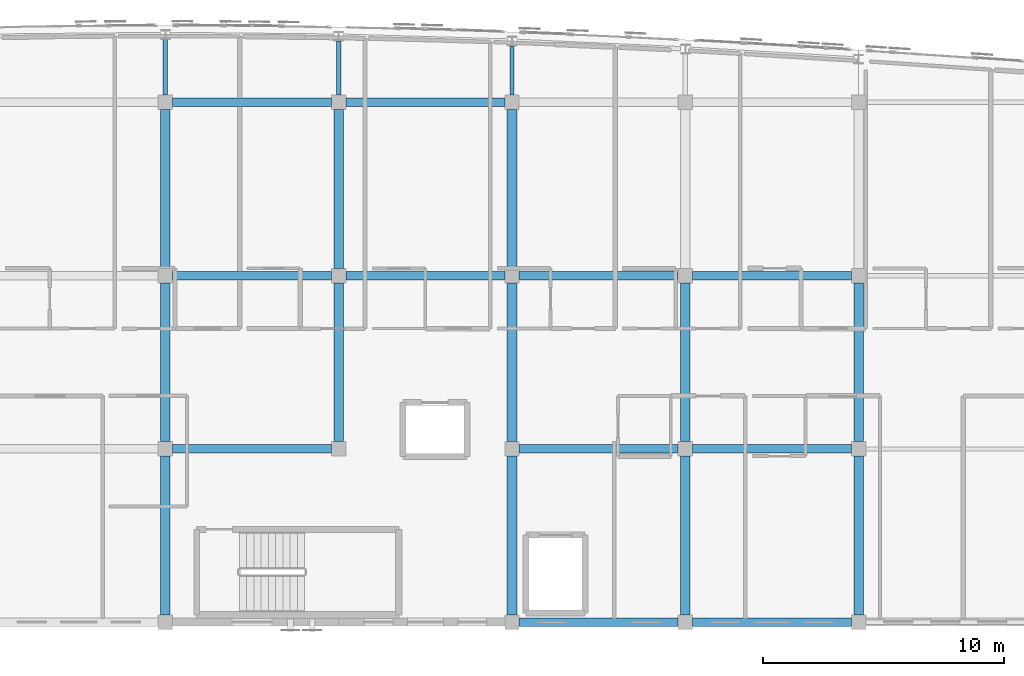
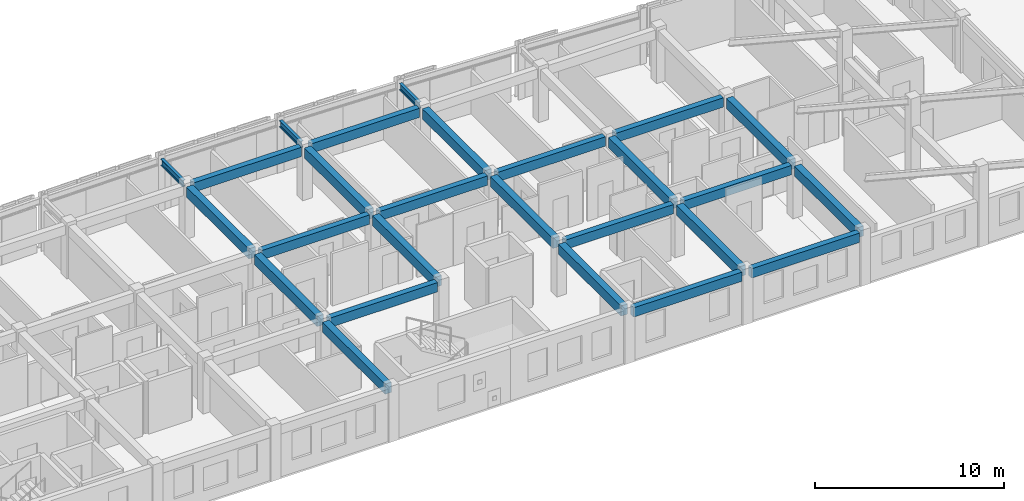
# One storey, part 16 of 41: 26 beams.
"""IFC4 building model written with IfcOpenShell, lengths in metres."""

from ifc_helpers import new_model, si_unit, direction, frame, origin, origin_2d, place, context, subcontext, project, spatial, rectangle, i_section, extrude, material, material_profile, profile_set, type_object, element, save


model = new_model("IFC4")

# Units and contexts
model_context = context("Model", 3, precision=1e-05, world=origin(), true_north=direction((0.0, 1.0)))
body_context = subcontext(model_context, "Body", "Model", "MODEL_VIEW")
ifc_project = project(units=[si_unit("LENGTHUNIT", "METRE"), si_unit("AREAUNIT", "SQUARE_METRE"), si_unit("VOLUMEUNIT", "CUBIC_METRE"), si_unit("PLANEANGLEUNIT", "RADIAN"), si_unit("MASSUNIT", "GRAM", prefix="KILO")], contexts=[model_context])

# Site, building, storey
site_placement = place(None, origin())
site = spatial("IfcSite", under=ifc_project, at=site_placement, CompositionType="ELEMENT")
building_placement = place(site_placement, origin())
building = spatial("IfcBuilding", under=site, at=building_placement, Name="Carrowvane Square Congress Hotel", CompositionType="ELEMENT")
storey_placement = place(building_placement, frame((0.0, 0.0, 37.199951171875)))
storey = spatial("IfcBuildingStorey", under=building, at=storey_placement, Name="L09", CompositionType="ELEMENT", Elevation=37.199951171875)

# Beams
ifc_material_1 = material(Name="Concrete C35/45", Category="concrete")
ifc_material_profile_1 = material_profile(ifc_material_1, rectangle(XDim=0.35009765625, YDim=0.60009765625, at=origin_2d()), Name="RC 350x600")
ifc_profile_set_1 = profile_set([ifc_material_profile_1], Name="Concrete C35/45")
beam_type_1 = type_object("IfcBeamType", Name="BM-RC-350x600", PredefinedType="BEAM", material=ifc_profile_set_1)
for number, where, z_axis, x_axis, name in (
    (1, (112.699951171875, 91.800048828125, 3.080078125), (1.0, 0.0, 0.0), (0.0, 1.0, 0.0), "L10 girder N/15-16"),
    (2, (119.89990234375, 91.800048828125, 3.080078125), (1.0, 0.0, 0.0), (0.0, 1.0, 0.0), "L10 girder N/16-17"),
):
    element("IfcBeam", number, at=place(storey_placement, frame(where, z_axis=z_axis, x_axis=x_axis)), inside=storey, type_object=beam_type_1, Name=name, PredefinedType="BEAM", context=body_context, shape_type="SweptSolid", body=[
        extrude(rectangle(XDim=0.35009765625, YDim=0.60009765625, at=origin_2d()), origin(), (0.0, 0.0, 1.0), 6.60009765625),
    ])
beam_1_placement = place(storey_placement, frame((98.300048828125, 99.0, 3.080078125), z_axis=(1.0, 0.0, 0.0), x_axis=(0.0, 1.0, 0.0)))
element("IfcBeam", 3, at=beam_1_placement, inside=storey, type_object=beam_type_1, Name="L10 girder P/13-14", PredefinedType="BEAM", context=body_context, shape_type="SweptSolid", body=[
    extrude(rectangle(XDim=0.35009765625, YDim=0.60009765625, at=origin_2d()), origin(), (0.0, 0.0, 1.0), 6.599853515625),
])
for number, where, z_axis, x_axis, name in (
    (4, (112.699951171875, 99.0, 3.080078125), (1.0, 0.0, 0.0), (0.0, 1.0, 0.0), "L10 girder P/15-16"),
    (5, (119.89990234375, 99.0, 3.080078125), (1.0, 0.0, 0.0), (0.0, 1.0, 0.0), "L10 girder P/16-17"),
):
    element("IfcBeam", number, at=place(storey_placement, frame(where, z_axis=z_axis, x_axis=x_axis)), inside=storey, type_object=beam_type_1, Name=name, PredefinedType="BEAM", context=body_context, shape_type="SweptSolid", body=[
        extrude(rectangle(XDim=0.35009765625, YDim=0.60009765625, at=origin_2d()), origin(), (0.0, 0.0, 1.0), 6.60009765625),
    ])
beam_2_placement = place(storey_placement, frame((98.300048828125, 106.199951171875, 3.080078125), z_axis=(1.0, 0.0, 0.0), x_axis=(0.0, 1.0, 0.0)))
element("IfcBeam", 6, at=beam_2_placement, inside=storey, type_object=beam_type_1, Name="L10 girder Q/13-14", PredefinedType="BEAM", context=body_context, shape_type="SweptSolid", body=[
    extrude(rectangle(XDim=0.35009765625, YDim=0.60009765625, at=origin_2d()), origin(), (0.0, 0.0, 1.0), 6.599853515625),
])
for number, where, z_axis, x_axis, name in (
    (7, (105.5, 106.199951171875, 3.080078125), (1.0, 0.0, 0.0), (0.0, 1.0, 0.0), "L10 girder Q/14-15"),
    (8, (112.699951171875, 106.199951171875, 3.080078125), (1.0, 0.0, 0.0), (0.0, 1.0, 0.0), "L10 girder Q/15-16"),
    (9, (119.89990234375, 106.199951171875, 3.080078125), (1.0, 0.0, 0.0), (0.0, 1.0, 0.0), "L10 girder Q/16-17"),
):
    element("IfcBeam", number, at=place(storey_placement, frame(where, z_axis=z_axis, x_axis=x_axis)), inside=storey, type_object=beam_type_1, Name=name, PredefinedType="BEAM", context=body_context, shape_type="SweptSolid", body=[
        extrude(rectangle(XDim=0.35009765625, YDim=0.60009765625, at=origin_2d()), origin(), (0.0, 0.0, 1.0), 6.60009765625),
    ])
beam_3_placement = place(storey_placement, frame((98.300048828125, 113.39990234375, 3.080078125), z_axis=(1.0, 0.0, 0.0), x_axis=(0.0, 1.0, 0.0)))
element("IfcBeam", 10, at=beam_3_placement, inside=storey, type_object=beam_type_1, Name="L10 girder R/13-14", PredefinedType="BEAM", context=body_context, shape_type="SweptSolid", body=[
    extrude(rectangle(XDim=0.35009765625, YDim=0.60009765625, at=origin_2d()), origin(), (0.0, 0.0, 1.0), 6.599853515625),
])
beam_4_placement = place(storey_placement, frame((105.5, 113.39990234375, 3.080078125), z_axis=(1.0, 0.0, 0.0), x_axis=(0.0, 1.0, 0.0)))
element("IfcBeam", 11, at=beam_4_placement, inside=storey, type_object=beam_type_1, Name="L10 girder R/14-15", PredefinedType="BEAM", context=body_context, shape_type="SweptSolid", body=[
    extrude(rectangle(XDim=0.35009765625, YDim=0.60009765625, at=origin_2d()), origin(), (0.0, 0.0, 1.0), 6.60009765625),
])
ifc_material_2 = material(Name="Concrete C35/45", Category="concrete")
ifc_material_profile_2 = material_profile(ifc_material_2, rectangle(XDim=0.39990234375, YDim=0.64990234375, at=origin_2d()), Name="RC 400x650")
ifc_profile_set_2 = profile_set([ifc_material_profile_2], Name="Concrete C35/45")
beam_type_2 = type_object("IfcBeamType", Name="BM-RC-400x650", PredefinedType="BEAM", material=ifc_profile_set_2)
for number, where, z_axis, x_axis, name in (
    (12, (98.0, 92.10009765625, 3.054931640625), (0.0, 1.0, 0.0), (-1.0, 0.0, 0.0), "L10 girder 13/N-P"),
    (13, (98.0, 99.300048828125, 3.054931640625), (0.0, 1.0, 0.0), (-1.0, 0.0, 0.0), "L10 girder 13/P-Q"),
):
    element("IfcBeam", number, at=place(storey_placement, frame(where, z_axis=z_axis, x_axis=x_axis)), inside=storey, type_object=beam_type_2, Name=name, PredefinedType="BEAM", context=body_context, shape_type="SweptSolid", body=[
        extrude(rectangle(XDim=0.39990234375, YDim=0.64990234375, at=origin_2d()), origin(), (0.0, 0.0, 1.0), 6.599853515625),
    ])
beam_5_placement = place(storey_placement, frame((98.0, 106.5, 3.054931640625), z_axis=(0.0, 1.0, 0.0), x_axis=(-1.0, 0.0, 0.0)))
element("IfcBeam", 14, at=beam_5_placement, inside=storey, type_object=beam_type_2, Name="L10 girder 13/Q-R", PredefinedType="BEAM", context=body_context, shape_type="SweptSolid", body=[
    extrude(rectangle(XDim=0.39990234375, YDim=0.64990234375, at=origin_2d()), origin(), (0.0, 0.0, 1.0), 6.60009765625),
])
beam_6_placement = place(storey_placement, frame((105.199951171875, 99.300048828125, 3.054931640625), z_axis=(0.0, 1.0, 0.0), x_axis=(-1.0, 0.0, 0.0)))
element("IfcBeam", 15, at=beam_6_placement, inside=storey, type_object=beam_type_2, Name="L10 girder 14/P-Q", PredefinedType="BEAM", context=body_context, shape_type="SweptSolid", body=[
    extrude(rectangle(XDim=0.39990234375, YDim=0.64990234375, at=origin_2d()), origin(), (0.0, 0.0, 1.0), 6.599853515625),
])
beam_7_placement = place(storey_placement, frame((105.199951171875, 106.5, 3.054931640625), z_axis=(0.0, 1.0, 0.0), x_axis=(-1.0, 0.0, 0.0)))
element("IfcBeam", 16, at=beam_7_placement, inside=storey, type_object=beam_type_2, Name="L10 girder 14/Q-R", PredefinedType="BEAM", context=body_context, shape_type="SweptSolid", body=[
    extrude(rectangle(XDim=0.39990234375, YDim=0.64990234375, at=origin_2d()), origin(), (0.0, 0.0, 1.0), 6.60009765625),
])
for number, where, z_axis, x_axis, name in (
    (17, (112.39990234375, 92.10009765625, 3.054931640625), (0.0, 1.0, 0.0), (-1.0, 0.0, 0.0), "L10 girder 15/N-P"),
    (18, (112.39990234375, 99.300048828125, 3.054931640625), (0.0, 1.0, 0.0), (-1.0, 0.0, 0.0), "L10 girder 15/P-Q"),
):
    element("IfcBeam", number, at=place(storey_placement, frame(where, z_axis=z_axis, x_axis=x_axis)), inside=storey, type_object=beam_type_2, Name=name, PredefinedType="BEAM", context=body_context, shape_type="SweptSolid", body=[
        extrude(rectangle(XDim=0.39990234375, YDim=0.64990234375, at=origin_2d()), origin(), (0.0, 0.0, 1.0), 6.599853515625),
    ])
beam_8_placement = place(storey_placement, frame((112.39990234375, 106.5, 3.054931640625), z_axis=(0.0, 1.0, 0.0), x_axis=(-1.0, 0.0, 0.0)))
element("IfcBeam", 19, at=beam_8_placement, inside=storey, type_object=beam_type_2, Name="L10 girder 15/Q-R", PredefinedType="BEAM", context=body_context, shape_type="SweptSolid", body=[
    extrude(rectangle(XDim=0.39990234375, YDim=0.64990234375, at=origin_2d()), origin(), (0.0, 0.0, 1.0), 6.60009765625),
])
for number, where, z_axis, x_axis, name in (
    (20, (119.60009765625, 92.10009765625, 3.054931640625), (0.0, 1.0, 0.0), (-1.0, 0.0, 0.0), "L10 girder 16/N-P"),
    (21, (119.60009765625, 99.300048828125, 3.054931640625), (0.0, 1.0, 0.0), (-1.0, 0.0, 0.0), "L10 girder 16/P-Q"),
    (22, (126.800048828125, 92.10009765625, 3.054931640625), (0.0, 1.0, 0.0), (-1.0, 0.0, 0.0), "L10 girder 17/N-P"),
    (23, (126.800048828125, 99.300048828125, 3.054931640625), (0.0, 1.0, 0.0), (-1.0, 0.0, 0.0), "L10 girder 17/P-Q"),
):
    element("IfcBeam", number, at=place(storey_placement, frame(where, z_axis=z_axis, x_axis=x_axis)), inside=storey, type_object=beam_type_2, Name=name, PredefinedType="BEAM", context=body_context, shape_type="SweptSolid", body=[
        extrude(rectangle(XDim=0.39990234375, YDim=0.64990234375, at=origin_2d()), origin(), (0.0, 0.0, 1.0), 6.599853515625),
    ])
ifc_material_3 = material(Name="Steel S355", Category="steel")
ifc_material_profile_3 = material_profile(ifc_material_3, i_section(OverallWidth=0.1787109375, OverallDepth=0.409423828125, WebThickness=0.0087890625, FlangeThickness=0.014404296875, FilletRadius=0.01025390625, at=origin_2d()), Name="UKB 406x178x67")
ifc_profile_set_3 = profile_set([ifc_material_profile_3], Name="Steel S355")
beam_type_3 = type_object("IfcBeamType", Name="BM-ST-UKB406", PredefinedType="BEAM", material=ifc_profile_set_3)
beam_9_placement = place(storey_placement, frame((98.0, 113.699951171875, 3.17529296875), z_axis=(0.0, 1.0, 0.0), x_axis=(-1.0, 0.0, 0.0)))
element("IfcBeam", 24, at=beam_9_placement, inside=storey, type_object=beam_type_3, Name="L10 radial north beam 13", PredefinedType="BEAM", context=body_context, shape_type="SweptSolid", body=[
    extrude(i_section(OverallWidth=0.1787109375, OverallDepth=0.409423828125, WebThickness=0.0087890625, FlangeThickness=0.014404296875, FilletRadius=0.01025390625, at=origin_2d()), origin(), (0.0, 0.0, 1.0), 2.32275390625),
])
beam_10_placement = place(storey_placement, frame((105.199951171875, 113.699951171875, 3.17529296875), z_axis=(0.0, 1.0, 0.0), x_axis=(-1.0, 0.0, 0.0)))
element("IfcBeam", 25, at=beam_10_placement, inside=storey, type_object=beam_type_3, Name="L10 radial north beam 14", PredefinedType="BEAM", context=body_context, shape_type="SweptSolid", body=[
    extrude(i_section(OverallWidth=0.1787109375, OverallDepth=0.409423828125, WebThickness=0.0087890625, FlangeThickness=0.014404296875, FilletRadius=0.01025390625, at=origin_2d()), origin(), (0.0, 0.0, 1.0), 2.25244140625),
])
beam_11_placement = place(storey_placement, frame((112.39990234375, 113.699951171875, 3.17529296875), z_axis=(0.0, 1.0, 0.0), x_axis=(-1.0, 0.0, 0.0)))
element("IfcBeam", 26, at=beam_11_placement, inside=storey, type_object=beam_type_3, Name="L10 radial north beam 15", PredefinedType="BEAM", context=body_context, shape_type="SweptSolid", body=[
    extrude(i_section(OverallWidth=0.1787109375, OverallDepth=0.409423828125, WebThickness=0.0087890625, FlangeThickness=0.014404296875, FilletRadius=0.01025390625, at=origin_2d()), origin(), (0.0, 0.0, 1.0), 2.046630859375),
])

save(model, "model.ifc")
